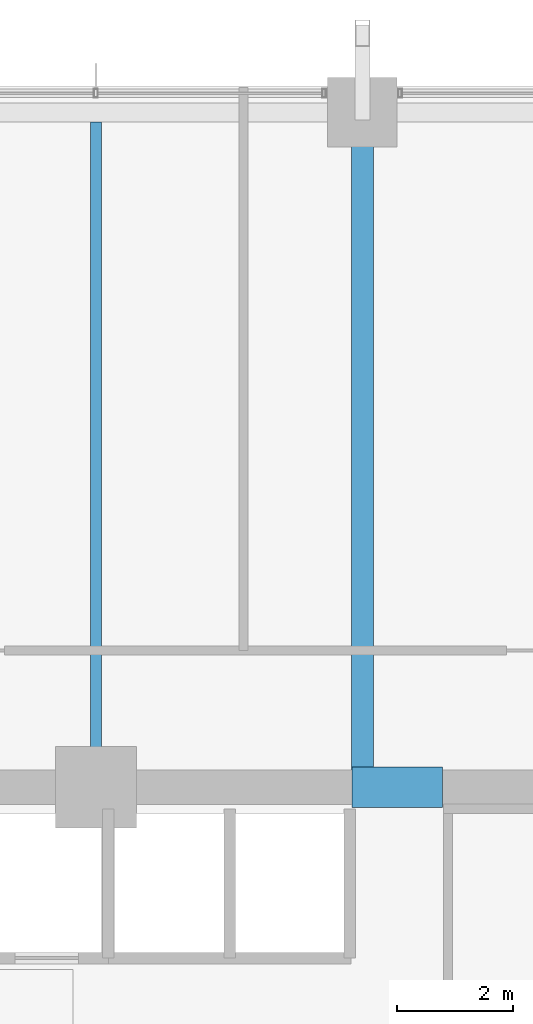
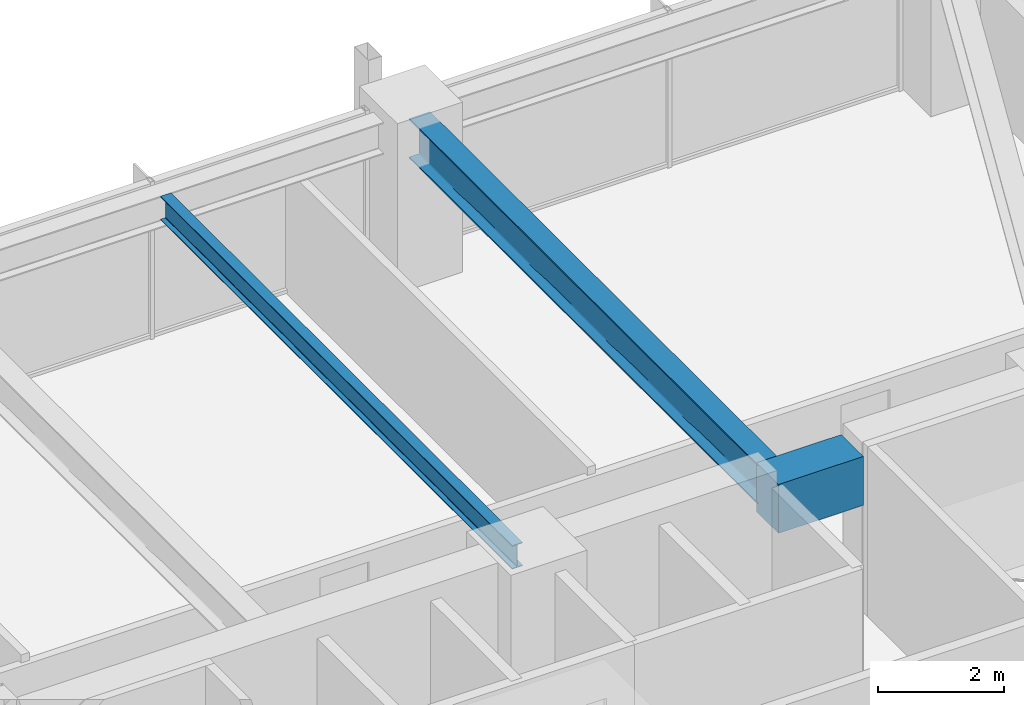
# One storey, part 20 of 36: 3 beams.
"""IFC4 building model written with IfcOpenShell, lengths in metres."""

from ifc_helpers import new_model, si_unit, direction, frame, origin, origin_2d, place, context, subcontext, project, spatial, rectangle, i_section, extrude, material, material_profile, profile_set, type_object, element, save


model = new_model("IFC4")

# Units and contexts
model_context = context("Model", 3, precision=1e-05, world=origin(), true_north=direction((0.0, 1.0)))
body_context = subcontext(model_context, "Body", "Model", "MODEL_VIEW")
ifc_project = project(units=[si_unit("LENGTHUNIT", "METRE"), si_unit("AREAUNIT", "SQUARE_METRE"), si_unit("VOLUMEUNIT", "CUBIC_METRE"), si_unit("PLANEANGLEUNIT", "RADIAN"), si_unit("MASSUNIT", "GRAM", prefix="KILO")], contexts=[model_context])

# Site, building, storey
site_placement = place(None, origin())
site = spatial("IfcSite", under=ifc_project, at=site_placement, CompositionType="ELEMENT")
building_placement = place(site_placement, origin())
building = spatial("IfcBuilding", under=site, at=building_placement, Name="Kolvaren Belvedere", CompositionType="ELEMENT")
storey_placement = place(building_placement, frame((0.0, 0.0, 46.89990234375)))
storey = spatial("IfcBuildingStorey", under=building, at=storey_placement, Name="L13", CompositionType="ELEMENT", Elevation=46.89990234375)

# Beams
ifc_material_1 = material(Name="Structural steel ASTM A992 Grade 50", Category="steel")
ifc_material_profile_1 = material_profile(ifc_material_1, i_section(OverallWidth=0.381103515625, OverallDepth=0.77294921875, WebThickness=0.0166015625, FlangeThickness=0.027099609375, FilletRadius=0.02392578125, at=origin_2d()), Name="W30X173")
ifc_profile_set_1 = profile_set([ifc_material_profile_1], Name="Structural steel ASTM A992 Grade 50")
beam_type_1 = type_object("IfcBeamType", Name="BM-GIRD-W30X173", PredefinedType="BEAM", material=ifc_profile_set_1)
beam_1_placement = place(storey_placement, frame((4.60009765625, 10.199951171875, 2.673583984375), z_axis=(0.0, 1.0, 0.0), x_axis=(-1.0, 0.0, 0.0)))
element("IfcBeam", 1, at=beam_1_placement, inside=storey, type_object=beam_type_1, Name="L13 North Radial Girder P", PredefinedType="BEAM", context=body_context, shape_type="SweptSolid", body=[
    extrude(i_section(OverallWidth=0.381103515625, OverallDepth=0.77294921875, WebThickness=0.0166015625, FlangeThickness=0.027099609375, FilletRadius=0.02392578125, at=origin_2d()), origin(), (0.0, 0.0, 1.0), 11.080078125),
])
ifc_material_2 = material(Name="Structural steel ASTM A992 Grade 50", Category="steel")
ifc_material_profile_2 = material_profile(ifc_material_2, i_section(OverallWidth=0.19091796875, OverallDepth=0.4599609375, WebThickness=0.010009765625, FlangeThickness=0.01611328125, FilletRadius=0.014892578125, at=origin_2d()), Name="W18X55")
ifc_profile_set_2 = profile_set([ifc_material_profile_2], Name="Structural steel ASTM A992 Grade 50")
beam_type_2 = type_object("IfcBeamType", Name="BM-JOIST-W18X55", PredefinedType="BEAM", material=ifc_profile_set_2)
beam_2_placement = place(storey_placement, frame((0.0, 10.199951171875, 2.830078125), z_axis=(0.0, 1.0, 0.0), x_axis=(-1.0, 0.0, 0.0)))
element("IfcBeam", 2, at=beam_2_placement, inside=storey, type_object=beam_type_2, Name="L13 North Centre Floor Beam", PredefinedType="BEAM", context=body_context, shape_type="SweptSolid", body=[
    extrude(i_section(OverallWidth=0.19091796875, OverallDepth=0.4599609375, WebThickness=0.010009765625, FlangeThickness=0.01611328125, FilletRadius=0.014892578125, at=origin_2d()), origin(), (0.0, 0.0, 1.0), 11.1875),
])
ifc_material_3 = material(Name="Concrete C60/75", Category="concrete")
ifc_material_profile_3 = material_profile(ifc_material_3, rectangle(XDim=0.699951171875, YDim=0.949951171875, at=origin_2d()), Name="RC 700X950")
ifc_profile_set_3 = profile_set([ifc_material_profile_3], Name="Concrete C60/75")
beam_type_3 = type_object("IfcBeamType", Name="BM-LINT-950", PredefinedType="LINTEL", material=ifc_profile_set_3)
beam_3_placement = place(storey_placement, frame((4.419921875, 9.89990234375, 2.585205078125), z_axis=(1.0, 0.0, 0.0), x_axis=(0.0, 1.0, 0.0)))
element("IfcBeam", 3, at=beam_3_placement, inside=storey, type_object=beam_type_3, Name="L13 North Core Coupling Lintel", PredefinedType="LINTEL", context=body_context, shape_type="SweptSolid", body=[
    extrude(rectangle(XDim=0.699951171875, YDim=0.949951171875, at=origin_2d()), origin(), (0.0, 0.0, 1.0), 1.56005859375),
])

save(model, "model.ifc")
